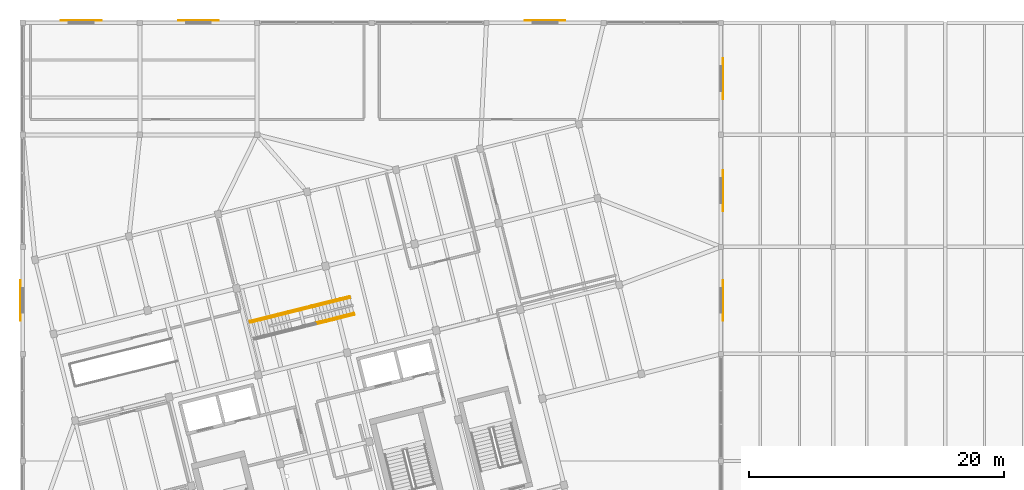
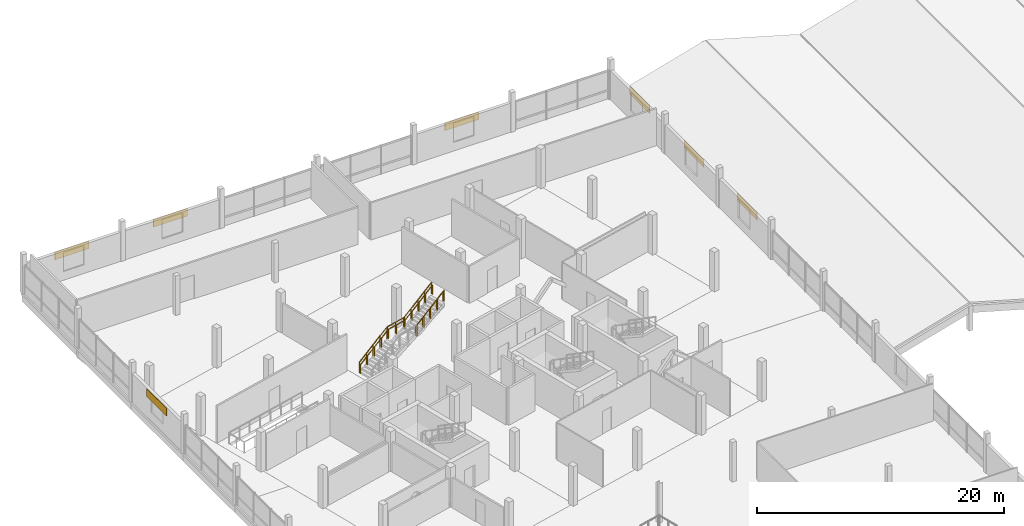
# One storey, part 47 of 47: 8 railings, 7 coverings.
"""IFC4 building model written with IfcOpenShell, lengths in metres."""

import ifcopenshell
import ifcopenshell.guid

model = None  # the IFC model being written
_history = None  # IfcOwnerHistory: only IFC2X3 demands one
_inside = {}  # id of a spatial element -> (the spatial element, [elements in it])
_under = {}  # id of a project, library or spatial element -> (it, [spatial elements below it])
_declared = {}  # id of a project -> (the project, [libraries it declares])
_typed = {}  # id of a type object -> (the type object, [elements of that type])
_made_of = {}  # id of a material, layer set ... -> (it, [elements and type objects made of it])


def new_model(schema):
    """Start an empty IFC model of exactly this schema.

    Asked for "IFC4X3", IfcOpenShell would pick the latest addendum, in which some entities
    have other attributes; the version numbers below select the first issue.
    IFC2X3 requires an IfcOwnerHistory on every rooted entity: one is made here for all.
    """
    global model, _history
    if schema == "IFC4X3":
        model = ifcopenshell.file(schema_version=(4, 3, 0, 0))
    else:
        model = ifcopenshell.file(schema=schema)
    _inside.clear()
    _under.clear()
    _declared.clear()
    _typed.clear()
    _made_of.clear()
    _history = None
    if model.schema == "IFC2X3":
        org = make("IfcOrganization", Name="unknown")
        user = make(
            "IfcPersonAndOrganization",
            ThePerson=make("IfcPerson", FamilyName="unknown"),
            TheOrganization=org,
        )
        app = make(
            "IfcApplication",
            ApplicationDeveloper=org,
            Version="unknown",
            ApplicationFullName="unknown",
            ApplicationIdentifier="unknown",
        )
        _history = make(
            "IfcOwnerHistory",
            OwningUser=user,
            OwningApplication=app,
            ChangeAction="ADDED",
            CreationDate=0,
        )
    return model


def make(cls, **values):
    """One entity of the class cls with the attributes given. An attribute that is None is left unset."""
    return model.create_entity(
        cls, **{name: value for name, value in values.items() if value is not None}
    )


def rooted(cls, **values):
    """An entity with a GlobalId (a new one), such as an element, a storey or a relation."""
    return make(cls, GlobalId=ifcopenshell.guid.new(), OwnerHistory=_history, **values)


def si_unit(unit_type, name, prefix=None):
    """IfcSIUnit, for example si_unit("LENGTHUNIT", "METRE", prefix="MILLI")."""
    return make("IfcSIUnit", UnitType=unit_type, Prefix=prefix, Name=name)


def assignment(units):
    """IfcUnitAssignment: the units of a project."""
    return None if units is None else make("IfcUnitAssignment", Units=units)


def point(xyz):
    """IfcCartesianPoint."""
    return None if xyz is None else make("IfcCartesianPoint", Coordinates=xyz)


def direction(xyz):
    """IfcDirection."""
    return None if xyz is None else make("IfcDirection", DirectionRatios=xyz)


def frame(location, z_axis=None, x_axis=None):
    """IfcAxis2Placement3D, a coordinate frame: its origin and axes. An axis left out is left unset."""
    return make(
        "IfcAxis2Placement3D",
        Location=point(location),
        Axis=direction(z_axis),
        RefDirection=direction(x_axis),
    )


def frame_2d(location, x_axis=None):
    """IfcAxis2Placement2D, a coordinate frame in the plane: its origin and x axis."""
    return make(
        "IfcAxis2Placement2D", Location=point(location), RefDirection=direction(x_axis)
    )


def origin():
    """The frame at (0, 0, 0) with its axes left unset."""
    return frame((0.0, 0.0, 0.0))


def origin_2d():
    """The frame at (0, 0) in the plane with its x axis left unset."""
    return frame_2d((0.0, 0.0))


def place(relative_to, where):
    """IfcLocalPlacement: puts the frame where relative to a parent placement (None: the world)."""
    return make(
        "IfcLocalPlacement", PlacementRelTo=relative_to, RelativePlacement=where
    )


def context(
    kind, dimensions, precision=None, world=None, true_north=None, identifier=None
):
    """IfcGeometricRepresentationContext, for example the 3D "Model" context."""
    return make(
        "IfcGeometricRepresentationContext",
        ContextIdentifier=identifier,
        ContextType=kind,
        CoordinateSpaceDimension=dimensions,
        Precision=precision,
        WorldCoordinateSystem=world,
        TrueNorth=true_north,
    )


def subcontext(parent, identifier, kind, view, scale=None):
    """IfcGeometricRepresentationSubContext, for example "Body" below "Model"."""
    return make(
        "IfcGeometricRepresentationSubContext",
        ContextIdentifier=identifier,
        ContextType=kind,
        ParentContext=parent,
        TargetScale=scale,
        TargetView=view,
    )


def project(units=None, contexts=None):
    """IfcProject with its units and contexts."""
    return rooted(
        "IfcProject",
        Name="project",
        RepresentationContexts=contexts,
        UnitsInContext=assignment(units),
    )


def spatial(cls, under=None, at=None, **own):
    """A site, building, storey or space (cls), placed at a placement, below another one or the project."""
    s = rooted(cls, ObjectPlacement=at, **own)
    if under is not None:
        _under.setdefault(under.id(), (under, []))[1].append(s)
    return s


def profile(cls, at=None, kind="AREA", **sizes):
    """A parametric profile (cls). Its sizes go by their IFC names, for example OverallWidth=200.0."""
    return make(cls, ProfileType=kind, Position=at, **sizes)


def rectangle(**sizes):
    """IfcRectangleProfileDef."""
    return profile("IfcRectangleProfileDef", **sizes)


def circle(**sizes):
    """IfcCircleProfileDef."""
    return profile("IfcCircleProfileDef", **sizes)


def extrude(swept, where, along, depth):
    """IfcExtrudedAreaSolid: the profile swept, set in the frame where, extruded along a direction by depth."""
    return make(
        "IfcExtrudedAreaSolid",
        SweptArea=swept,
        Position=where,
        ExtrudedDirection=direction(along),
        Depth=depth,
    )


def shape(context_of_items, identifier, shape_type, items):
    """IfcShapeRepresentation: the items that make up one representation, for example the "Body"."""
    return make(
        "IfcShapeRepresentation",
        ContextOfItems=context_of_items,
        RepresentationIdentifier=identifier,
        RepresentationType=shape_type,
        Items=items,
    )


def material(Name=None, Category=None):
    """IfcMaterial."""
    return make("IfcMaterial", Name=Name, Category=Category)


def layer(
    of_material, thickness, ventilated=None, Name=None, Category=None, Priority=None
):
    """IfcMaterialLayer: one layer of a wall or slab, of a material (None: an air gap)."""
    return make(
        "IfcMaterialLayer",
        Material=of_material,
        LayerThickness=thickness,
        IsVentilated=ventilated,
        Name=Name,
        Category=Category,
        Priority=Priority,
    )


def layer_set(layers, Name=None):
    """IfcMaterialLayerSet."""
    return make("IfcMaterialLayerSet", MaterialLayers=layers, LayerSetName=Name)


def made_of(thing, what):
    """Note that an element or type object is made of a material, layer set ...; save() writes the relation."""
    if what is not None:
        _made_of.setdefault(what.id(), (what, []))[1].append(thing)
    return thing


def type_object(cls, material=None, **own):
    """A type object (cls), such as IfcWallType, which elements share."""
    return made_of(rooted(cls, **own), material)


def element(
    cls,
    number,
    at=None,
    inside=None,
    cuts=None,
    type_object=None,
    material=None,
    context=None,
    identifier="Body",
    shape_type=None,
    held_by="IfcProductDefinitionShape",
    body=None,
    shapes=None,
    **own,
):
    """One element of the class cls, such as IfcWall. Its Tag is "e" and its number.

    at: its placement. inside: the storey or other place that contains it. cuts: it is an
    opening in that element (IfcRelVoidsElement). A single representation is given by context,
    identifier, shape_type and body (its items); several are given by shapes. held_by: the class
    of the entity that holds the representations. save() writes the other relations.
    """
    e = rooted(cls, Tag="e%d" % number, ObjectPlacement=at, **own)
    if body is not None:
        shapes = [shape(context, identifier, shape_type, body)]
    if shapes is not None:
        e.Representation = make(held_by, Representations=shapes)
    if inside is not None:
        _inside.setdefault(inside.id(), (inside, []))[1].append(e)
    if cuts is not None:
        rooted(
            "IfcRelVoidsElement", RelatingBuildingElement=cuts, RelatedOpeningElement=e
        )
    if type_object is not None:
        _typed.setdefault(type_object.id(), (type_object, []))[1].append(e)
    return made_of(e, material)


def aggregate(whole, parts):
    """IfcRelAggregates: a whole, such as a stair, and the parts it consists of."""
    return rooted("IfcRelAggregates", RelatingObject=whole, RelatedObjects=parts)


def save(model, path):
    """Write the relations noted so far, then the file.

    IfcRelAggregates (storeys below a building ...), IfcRelContainedInSpatialStructure (elements
    in a storey), IfcRelDefinesByType, IfcRelAssociatesMaterial and IfcRelDeclares: one each for
    every whole, place, type object, material and project.
    """
    for whole, parts in _under.values():
        aggregate(whole, parts)
    for where, things in _inside.values():
        rooted(
            "IfcRelContainedInSpatialStructure",
            RelatedElements=things,
            RelatingStructure=where,
        )
    for kind, things in _typed.values():
        rooted("IfcRelDefinesByType", RelatedObjects=things, RelatingType=kind)
    for what, things in _made_of.values():
        rooted("IfcRelAssociatesMaterial", RelatedObjects=things, RelatingMaterial=what)
    for by, libraries in _declared.values():
        rooted("IfcRelDeclares", RelatingContext=by, RelatedDefinitions=libraries)
    model.write(path)


model = new_model("IFC4")

# Units and contexts
model_context = context("Model", 3, precision=1e-05, world=origin(), true_north=direction((0.0, 1.0)))
body_context = subcontext(model_context, "Body", "Model", "MODEL_VIEW")
ifc_project = project(units=[si_unit("LENGTHUNIT", "METRE"), si_unit("AREAUNIT", "SQUARE_METRE"), si_unit("VOLUMEUNIT", "CUBIC_METRE"), si_unit("PLANEANGLEUNIT", "RADIAN"), si_unit("MASSUNIT", "GRAM", prefix="KILO")], contexts=[model_context])

# Site, building, storey
site_placement = place(None, origin())
site = spatial("IfcSite", under=ifc_project, at=site_placement, CompositionType="ELEMENT")
building_placement = place(site_placement, origin())
building = spatial("IfcBuilding", under=site, at=building_placement, Name="Meriwether Solvik Hall", CompositionType="ELEMENT")
storey_placement = place(building_placement, frame((0.0, 0.0, 18.300048828125)))
storey = spatial("IfcBuildingStorey", under=building, at=storey_placement, Name="L04", CompositionType="ELEMENT", Elevation=18.300048828125)

# Coverings
ifc_material_1 = material(Name="Acetylated Charred Western Red Cedar Timber", Category="wood")
ifc_layer_1 = layer(ifc_material_1, 0.0400390625)
ifc_layer_set_1 = layer_set([ifc_layer_1], Name="Acetylated Charred Western Red Cedar Timber")
covering_type = type_object("IfcCoveringType", Name="COV-CLAD-TIMB", PredefinedType="CLADDING", material=ifc_layer_set_1)
for number, where, z_axis, x_axis, name in (
    (1, (64.0, 92.9599609375, 2.054931640625), (0.0, 0.0, 1.0), (1.0, 0.0, 0.0), "L04 Facade Cladding XK_7_6"),
    (2, (73.199951171875, 92.9599609375, 2.054931640625), (0.0, 0.0, 1.0), (1.0, 0.0, 0.0), "L04 Facade Cladding XK_8_7"),
    (3, (100.39990234375, 92.9599609375, 2.054931640625), (0.0, 0.0, 1.0), (1.0, 0.0, 0.0), "L04 Facade Cladding XK_11_10"),
    (4, (59.239990234375, 71.0, 2.054931640625), (0.0, 0.0, 1.0), (0.0, 1.0, 0.0), "L04 Facade Cladding Y7_8_19"),
    (5, (114.360107421875, 71.0, 2.054931640625), (0.0, 0.0, 1.0), (0.0, -1.0, 0.0), "L04 Facade Cladding Y13_8_29"),
    (6, (114.360107421875, 79.60009765625, 2.054931640625), (0.0, 0.0, 1.0), (0.0, -1.0, 0.0), "L04 Facade Cladding Y13_9_30"),
    (7, (114.360107421875, 88.39990234375, 2.054931640625), (0.0, 0.0, 1.0), (0.0, -1.0, 0.0), "L04 Facade Cladding Y13_10_31"),
):
    element("IfcCovering", number, at=place(storey_placement, frame(where, z_axis=z_axis, x_axis=x_axis)), inside=storey, type_object=covering_type, Name=name, PredefinedType="CLADDING", context=body_context, shape_type="SweptSolid", body=[
        extrude(rectangle(XDim=3.199951171875, YDim=0.0400390625, at=origin_2d()), origin(), (0.0, 0.0, 1.0), 0.75),
    ])

# Railings
ifc_material_2 = material(Name="Steel A36 Galvanised", Category="steel")
ifc_layer_2 = layer(ifc_material_2, 0.054931640625)
ifc_layer_set_2 = layer_set([ifc_layer_2], Name="Steel A36 Galvanised")
railing_type_1 = type_object("IfcRailingType", Name="RAIL-STR-GUARD", PredefinedType="GUARDRAIL", material=ifc_layer_set_2)
railing_1_placement = place(storey_placement, frame((82.46484375, 69.13916015625, 1.97021484375)))
element("IfcRailing", 8, at=railing_1_placement, inside=storey, type_object=railing_type_1, Name="Stair ST-ED2 Guardrail L 3", PredefinedType="GUARDRAIL", context=body_context, shape_type="SweptSolid", body=[
    extrude(circle(Radius=0.02392578125, at=origin_2d()), frame((0.0, 0.0, 1.09619140625), z_axis=(0.819797448343, 0.204391009163, 0.534935939214), x_axis=(-0.241913592444, 0.970297796448, 0.0)), (0.0, 0.0, 1.0), 3.607421875),
    extrude(circle(Radius=0.02099609375, at=origin_2d()), origin(), (0.0, 0.0, 1.0), 1.072021484375),
    extrude(circle(Radius=0.02099609375, at=origin_2d()), frame((0.7392578125, 0.184326171875, 0.482421875)), (0.0, 0.0, 1.0), 1.072021484375),
    extrude(circle(Radius=0.02099609375, at=origin_2d()), frame((1.478515625, 0.36865234375, 0.96484375)), (0.0, 0.0, 1.0), 1.072021484375),
    extrude(circle(Radius=0.02099609375, at=origin_2d()), frame((2.218017578125, 0.552978515625, 1.447265625)), (0.0, 0.0, 1.0), 1.072021484375),
    extrude(circle(Radius=0.02099609375, at=origin_2d()), frame((2.957275390625, 0.7373046875, 1.9296875)), (0.0, 0.0, 1.0), 1.072021484375),
])
railing_2_placement = place(storey_placement, frame((77.2412109375, 69.372314453125, 0.0)))
element("IfcRailing", 9, at=railing_2_placement, inside=storey, type_object=railing_type_1, Name="Stair ST-ED2 Guardrail R 1", PredefinedType="GUARDRAIL", context=body_context, shape_type="SweptSolid", body=[
    extrude(circle(Radius=0.02392578125, at=origin_2d()), frame((0.0, 0.0, 1.09619140625), z_axis=(0.819819640662, 0.204379669374, 0.534906260508), x_axis=(-0.241894791228, 0.970302483753, 0.0)), (0.0, 0.0, 1.0), 3.607421875),
    extrude(circle(Radius=0.02099609375, at=origin_2d()), origin(), (0.0, 0.0, 1.0), 1.072021484375),
    extrude(circle(Radius=0.02099609375, at=origin_2d()), frame((0.7392578125, 0.184326171875, 0.482421875)), (0.0, 0.0, 1.0), 1.072021484375),
    extrude(circle(Radius=0.02099609375, at=origin_2d()), frame((1.478759765625, 0.36865234375, 0.96484375)), (0.0, 0.0, 1.0), 1.072021484375),
    extrude(circle(Radius=0.02099609375, at=origin_2d()), frame((2.21826171875, 0.552978515625, 1.447265625)), (0.0, 0.0, 1.0), 1.072021484375),
    extrude(circle(Radius=0.02099609375, at=origin_2d()), frame((2.95751953125, 0.7373046875, 1.9296875)), (0.0, 0.0, 1.0), 1.072021484375),
])
railing_3_placement = place(storey_placement, frame((80.2607421875, 70.125244140625, 1.949951171875)))
element("IfcRailing", 10, at=railing_3_placement, inside=storey, type_object=railing_type_1, Name="Stair ST-ED2 Guardrail R 2", PredefinedType="GUARDRAIL", context=body_context, shape_type="SweptSolid", body=[
    extrude(circle(Radius=0.02392578125, at=origin_2d()), frame((0.0, 0.0, 1.09619140625), z_axis=(0.970306538846, 0.241878524621, 0.0), x_axis=(-0.241878524621, 0.970306538846, 0.0)), (0.0, 0.0, 1.0), 1.8359375),
    extrude(circle(Radius=0.02099609375, at=origin_2d()), origin(), (0.0, 0.0, 1.0), 1.072021484375),
    extrude(circle(Radius=0.02099609375, at=origin_2d()), frame((0.890625, 0.22216796875, 0.0)), (0.0, 0.0, 1.0), 1.072021484375),
    extrude(circle(Radius=0.02099609375, at=origin_2d()), frame((1.781494140625, 0.444091796875, 0.0)), (0.0, 0.0, 1.0), 1.072021484375),
])
railing_4_placement = place(storey_placement, frame((82.104248046875, 70.5849609375, 1.97021484375)))
element("IfcRailing", 11, at=railing_4_placement, inside=storey, type_object=railing_type_1, Name="Stair ST-ED2 Guardrail R 3", PredefinedType="GUARDRAIL", context=body_context, shape_type="SweptSolid", body=[
    extrude(circle(Radius=0.02392578125, at=origin_2d()), frame((0.0, 0.0, 1.09619140625), z_axis=(0.819819640662, 0.204379669374, 0.534906260508), x_axis=(-0.241894791228, 0.970302483753, 0.0)), (0.0, 0.0, 1.0), 3.607421875),
    extrude(circle(Radius=0.02099609375, at=origin_2d()), origin(), (0.0, 0.0, 1.0), 1.072021484375),
    extrude(circle(Radius=0.02099609375, at=origin_2d()), frame((0.7392578125, 0.184326171875, 0.482421875)), (0.0, 0.0, 1.0), 1.072021484375),
    extrude(circle(Radius=0.02099609375, at=origin_2d()), frame((1.478759765625, 0.36865234375, 0.96484375)), (0.0, 0.0, 1.0), 1.072021484375),
    extrude(circle(Radius=0.02099609375, at=origin_2d()), frame((2.21826171875, 0.552978515625, 1.447265625)), (0.0, 0.0, 1.0), 1.072021484375),
    extrude(circle(Radius=0.02099609375, at=origin_2d()), frame((2.95751953125, 0.7373046875, 1.9296875)), (0.0, 0.0, 1.0), 1.072021484375),
])
ifc_material_3 = material(Name="Stainless Steel AISI 316", Category="steel")
ifc_layer_3 = layer(ifc_material_3, 0.044921875)
ifc_layer_set_3 = layer_set([ifc_layer_3], Name="Stainless Steel AISI 316")
railing_type_2 = type_object("IfcRailingType", Name="RAIL-STR-HAND", PredefinedType="HANDRAIL", material=ifc_layer_set_3)
for number, where, name in (
    (12, (82.40478515625, 69.247802734375, 1.949951171875), "Stair ST-ED2 Handrail L 3"),
    (13, (77.270263671875, 69.255859375, 0.0), "Stair ST-ED2 Handrail R 1"),
):
    element("IfcRailing", number, at=place(storey_placement, frame(where)), inside=storey, type_object=railing_type_2, Name=name, PredefinedType="HANDRAIL", context=body_context, shape_type="SweptSolid", body=[
        extrude(circle(Radius=0.02392578125, at=origin_2d()), frame((0.0, 0.0, 0.89599609375), z_axis=(0.819809056929, 0.204417489896, 0.53490802948), x_axis=(-0.241939874624, 0.970291243425, 0.0)), (0.0, 0.0, 1.0), 3.65234375),
        extrude(circle(Radius=0.02099609375, at=origin_2d()), origin(), (0.0, 0.0, 1.0), 0.871826171875),
        extrude(circle(Radius=0.02099609375, at=origin_2d()), frame((0.74853515625, 0.1865234375, 0.48828125)), (0.0, 0.0, 1.0), 0.871826171875),
        extrude(circle(Radius=0.02099609375, at=origin_2d()), frame((1.4970703125, 0.373291015625, 0.976806640625)), (0.0, 0.0, 1.0), 0.871826171875),
        extrude(circle(Radius=0.02099609375, at=origin_2d()), frame((2.24560546875, 0.56005859375, 1.46533203125)), (0.0, 0.0, 1.0), 0.871826171875),
        extrude(circle(Radius=0.02099609375, at=origin_2d()), frame((2.994140625, 0.74658203125, 1.95361328125)), (0.0, 0.0, 1.0), 0.871826171875),
    ])
railing_5_placement = place(storey_placement, frame((80.32177734375, 70.016845703125, 1.949951171875)))
element("IfcRailing", 14, at=railing_5_placement, inside=storey, type_object=railing_type_2, Name="Stair ST-ED2 Handrail R 2", PredefinedType="HANDRAIL", context=body_context, shape_type="SweptSolid", body=[
    extrude(circle(Radius=0.02392578125, at=origin_2d()), frame((0.0, 0.0, 0.89599609375), z_axis=(0.970328822485, 0.241789115255, 0.0), x_axis=(-0.241789115255, 0.970328822485, 0.0)), (0.0, 0.0, 1.0), 1.77001953125),
    extrude(circle(Radius=0.02099609375, at=origin_2d()), origin(), (0.0, 0.0, 1.0), 0.871826171875),
    extrude(circle(Radius=0.02099609375, at=origin_2d()), frame((0.85888671875, 0.2138671875, 0.0)), (0.0, 0.0, 1.0), 0.871826171875),
    extrude(circle(Radius=0.02099609375, at=origin_2d()), frame((1.717529296875, 0.427978515625, 0.0)), (0.0, 0.0, 1.0), 0.871826171875),
])
railing_6_placement = place(storey_placement, frame((82.102294921875, 70.460693359375, 1.949951171875)))
element("IfcRailing", 15, at=railing_6_placement, inside=storey, type_object=railing_type_2, Name="Stair ST-ED2 Handrail R 3", PredefinedType="HANDRAIL", context=body_context, shape_type="SweptSolid", body=[
    extrude(circle(Radius=0.02392578125, at=origin_2d()), frame((0.0, 0.0, 0.89599609375), z_axis=(0.819809056929, 0.204417489896, 0.53490802948), x_axis=(-0.241939874624, 0.970291243425, 0.0)), (0.0, 0.0, 1.0), 3.65234375),
    extrude(circle(Radius=0.02099609375, at=origin_2d()), origin(), (0.0, 0.0, 1.0), 0.871826171875),
    extrude(circle(Radius=0.02099609375, at=origin_2d()), frame((0.74853515625, 0.1865234375, 0.48828125)), (0.0, 0.0, 1.0), 0.871826171875),
    extrude(circle(Radius=0.02099609375, at=origin_2d()), frame((1.4970703125, 0.373291015625, 0.976806640625)), (0.0, 0.0, 1.0), 0.871826171875),
    extrude(circle(Radius=0.02099609375, at=origin_2d()), frame((2.24560546875, 0.56005859375, 1.46533203125)), (0.0, 0.0, 1.0), 0.871826171875),
    extrude(circle(Radius=0.02099609375, at=origin_2d()), frame((2.994140625, 0.74658203125, 1.95361328125)), (0.0, 0.0, 1.0), 0.871826171875),
])

save(model, "model.ifc")
